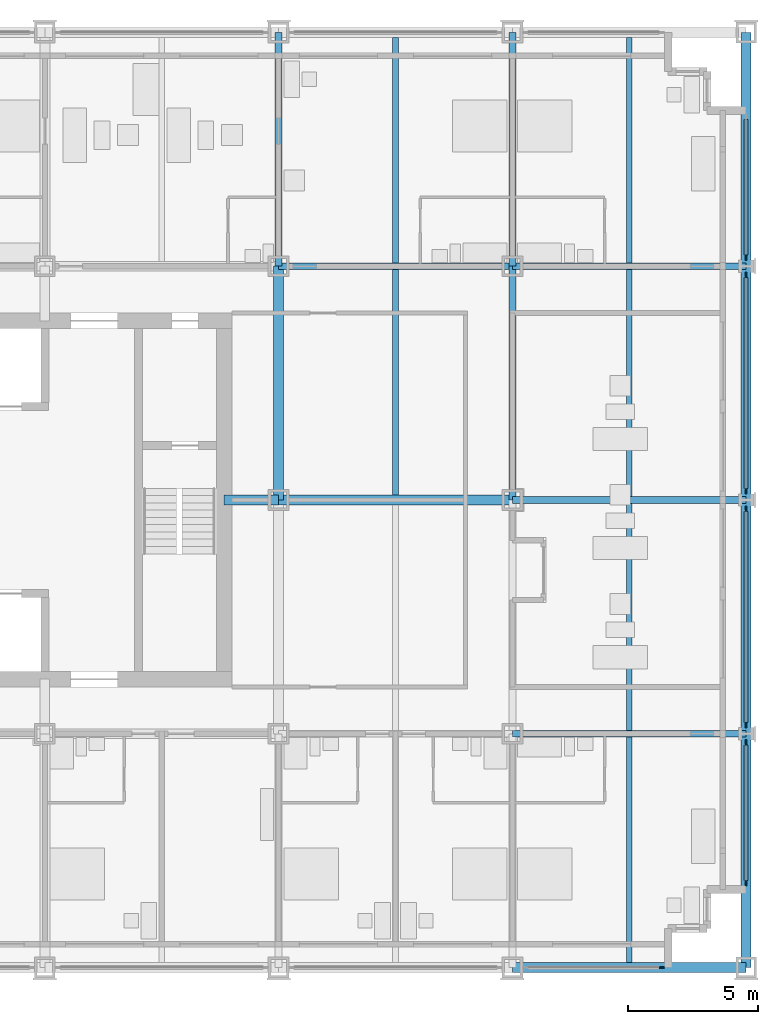
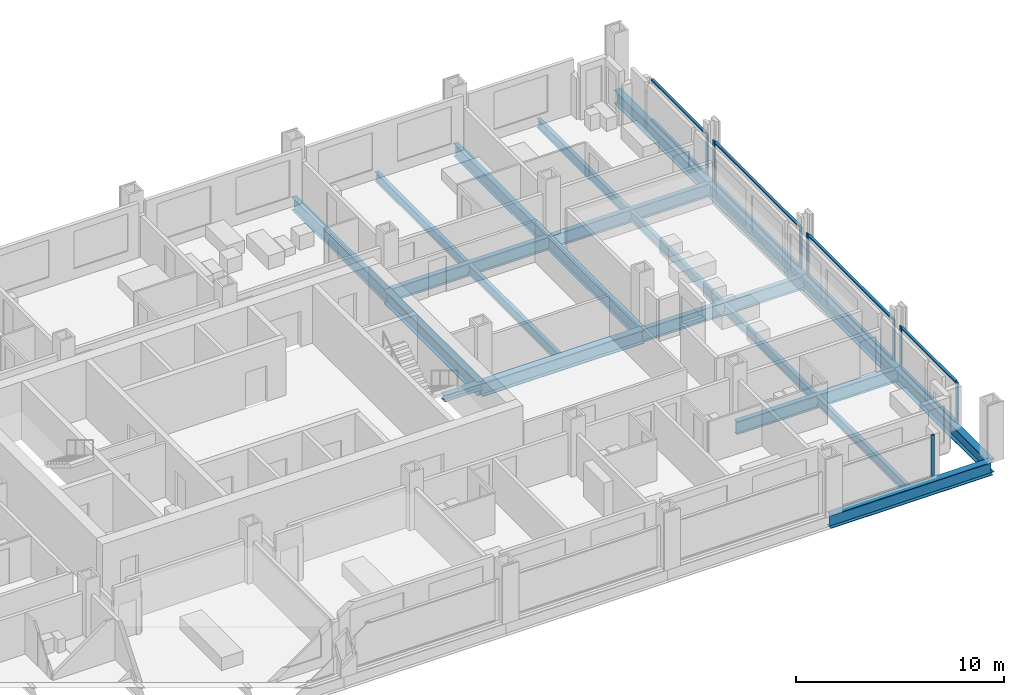
# One storey, part 6 of 18: 20 beams, 17 members, 5 elements without a shape of their own.
"""IFC4 building model written with IfcOpenShell, lengths in metres."""

from ifc_helpers import new_model, si_unit, direction, frame, origin, origin_2d, place, context, subcontext, project, spatial, rectangle, i_section, extrude, material, material_profile, profile_set, type_object, element, aggregate, save


model = new_model("IFC4")

# Units and contexts
model_context = context("Model", 3, precision=1e-05, world=origin(), true_north=direction((0.0, 1.0)))
body_context = subcontext(model_context, "Body", "Model", "MODEL_VIEW")
ifc_project = project(units=[si_unit("LENGTHUNIT", "METRE"), si_unit("AREAUNIT", "SQUARE_METRE"), si_unit("VOLUMEUNIT", "CUBIC_METRE"), si_unit("PLANEANGLEUNIT", "RADIAN"), si_unit("MASSUNIT", "GRAM", prefix="KILO")], contexts=[model_context])

# Site, building, storey
site_placement = place(None, origin())
site = spatial("IfcSite", under=ifc_project, at=site_placement, CompositionType="ELEMENT")
building_placement = place(site_placement, origin())
building = spatial("IfcBuilding", under=site, at=building_placement, Name="Loomwork Tower", CompositionType="ELEMENT")
storey_placement = place(building_placement, frame((0.0, 0.0, 28.0)))
storey = spatial("IfcBuildingStorey", under=building, at=storey_placement, Name="L05", CompositionType="ELEMENT", Elevation=28.0)

# Beams
ifc_material_1 = material(Name="Steel ASTM A992", Category="steel")
ifc_material_profile_1 = material_profile(ifc_material_1, i_section(OverallWidth=0.383544921875, OverallDepth=0.794921875, WebThickness=0.02099609375, FlangeThickness=0.0380859375, at=origin_2d()), Name="W30x235")
ifc_profile_set_1 = profile_set([ifc_material_profile_1], Name="Steel ASTM A992")
beam_type_1 = type_object("IfcBeamType", Name="CORE FLANK GIRDER W30x235", PredefinedType="BEAM", material=ifc_profile_set_1)
for number, where, z_axis, x_axis, name in (
    (1, (36.0, 18.0, -0.597412109375), (1.0, 0.0, 0.0), (0.0, 1.0, 0.0), "Core Flank Girder F/6-F/7 L05"),
    (2, (36.0, 18.0, -0.597412109375), (0.0, 1.0, 0.0), (-1.0, 0.0, 0.0), "Core Flank Girder F/6-G/6 L05"),
):
    element("IfcBeam", number, at=place(storey_placement, frame(where, z_axis=z_axis, x_axis=x_axis)), inside=storey, type_object=beam_type_1, Name=name, PredefinedType="BEAM", context=body_context, shape_type="SweptSolid", body=[
        extrude(i_section(OverallWidth=0.383544921875, OverallDepth=0.794921875, WebThickness=0.02099609375, FlangeThickness=0.0380859375, at=origin_2d()), origin(), (0.0, 0.0, 1.0), 9.0),
    ])

# Member
ifc_material_2 = material(Name="Steel ASTM A992", Category="steel")
ifc_material_profile_2 = material_profile(ifc_material_2, i_section(OverallWidth=0.373291015625, OverallDepth=0.373291015625, WebThickness=0.016357421875, FlangeThickness=0.026123046875, at=origin_2d()), Name="W14x132")
ifc_profile_set_2 = profile_set([ifc_material_profile_2], Name="Steel ASTM A992")
member_type_1 = type_object("IfcMemberType", Name="CORE LINK STRUT W14x132", PredefinedType="STRUT", material=ifc_profile_set_2)
member_1_placement = place(storey_placement, frame((36.0, 18.0, -0.38671875), z_axis=(-1.0, 0.0, 0.0), x_axis=(0.0, -1.0, 0.0)))
element("IfcMember", 3, at=member_1_placement, inside=storey, type_object=member_type_1, Name="Core link strut F/6-33.900,18.000 L05", PredefinedType="STRUT", context=body_context, shape_type="SweptSolid", body=[
    extrude(i_section(OverallWidth=0.373291015625, OverallDepth=0.373291015625, WebThickness=0.016357421875, FlangeThickness=0.026123046875, at=origin_2d()), origin(), (0.0, 0.0, 1.0), 2.10009765625),
])

# Beams
ifc_material_3 = material(Name="Steel ASTM A992", Category="steel")
ifc_material_profile_3 = material_profile(ifc_material_3, i_section(OverallWidth=0.2666015625, OverallDepth=0.761962890625, WebThickness=0.014404296875, FlangeThickness=0.021484375, at=origin_2d()), Name="W30x116")
ifc_profile_set_3 = profile_set([ifc_material_profile_3], Name="Steel ASTM A992")
beam_type_2 = type_object("IfcBeamType", Name="FLOOR GIRDER W30x116", PredefinedType="BEAM", material=ifc_profile_set_3)
for number, where, z_axis, x_axis, name in (
    (4, (45.0, 9.0, -0.5810546875), (1.0, 0.0, 0.0), (0.0, 1.0, 0.0), "Floor Girder E/7-E/8 L05"),
    (5, (45.0, 18.0, -0.5810546875), (1.0, 0.0, 0.0), (0.0, 1.0, 0.0), "Floor Girder F/7-F/8 L05"),
    (6, (36.0, 27.0, -0.5810546875), (1.0, 0.0, 0.0), (0.0, 1.0, 0.0), "Floor Girder G/6-G/7 L05"),
    (7, (45.0, 27.0, -0.5810546875), (1.0, 0.0, 0.0), (0.0, 1.0, 0.0), "Floor Girder G/7-G/8 L05"),
    (8, (36.0, 27.0, -0.5810546875), (0.0, 1.0, 0.0), (-1.0, 0.0, 0.0), "Floor Girder G/6-H/6 L05"),
    (9, (45.0, 18.0, -0.5810546875), (0.0, 1.0, 0.0), (-1.0, 0.0, 0.0), "Floor Girder F/7-G/7 L05"),
    (10, (45.0, 27.0, -0.5810546875), (0.0, 1.0, 0.0), (-1.0, 0.0, 0.0), "Floor Girder G/7-H/7 L05"),
):
    element("IfcBeam", number, at=place(storey_placement, frame(where, z_axis=z_axis, x_axis=x_axis)), inside=storey, type_object=beam_type_2, Name=name, PredefinedType="BEAM", context=body_context, shape_type="SweptSolid", body=[
        extrude(i_section(OverallWidth=0.2666015625, OverallDepth=0.761962890625, WebThickness=0.014404296875, FlangeThickness=0.021484375, at=origin_2d()), origin(), (0.0, 0.0, 1.0), 9.0),
    ])
ifc_material_4 = material(Name="Steel ASTM A992", Category="steel")
ifc_material_profile_4 = material_profile(ifc_material_4, i_section(OverallWidth=0.21240234375, OverallDepth=0.54345703125, WebThickness=0.01318359375, FlangeThickness=0.021240234375, at=origin_2d()), Name="W21x83")
ifc_profile_set_4 = profile_set([ifc_material_profile_4], Name="Steel ASTM A992")
beam_type_3 = type_object("IfcBeamType", Name="FLOOR JOIST W21x83", PredefinedType="JOIST", material=ifc_profile_set_4)
beam_1_placement = place(storey_placement, frame((40.5, 18.19091796875, -0.4716796875), z_axis=(0.0, 1.0, 0.0), x_axis=(-1.0, 0.0, 0.0)))
element("IfcBeam", 11, at=beam_1_placement, inside=storey, type_object=beam_type_3, Name="Floor Joist 40.500,18.000-40.500,27.000 L05", PredefinedType="JOIST", context=body_context, shape_type="SweptSolid", body=[
    extrude(i_section(OverallWidth=0.21240234375, OverallDepth=0.54345703125, WebThickness=0.01318359375, FlangeThickness=0.021240234375, at=origin_2d()), origin(), (0.0, 0.0, 1.0), 8.676025390625),
])
for number, where, z_axis, x_axis, name in (
    (12, (40.5, 27.133056640625, -0.4716796875), (0.0, 1.0, 0.0), (-1.0, 0.0, 0.0), "Floor Joist 40.500,27.000-40.500,36.000 L05"),
    (13, (49.5, 0.18994140625, -0.4716796875), (0.0, 1.0, 0.0), (-1.0, 0.0, 0.0), "Floor Joist 49.500,0.000-49.500,9.000 L05"),
):
    element("IfcBeam", number, at=place(storey_placement, frame(where, z_axis=z_axis, x_axis=x_axis)), inside=storey, type_object=beam_type_3, Name=name, PredefinedType="JOIST", context=body_context, shape_type="SweptSolid", body=[
        extrude(i_section(OverallWidth=0.21240234375, OverallDepth=0.54345703125, WebThickness=0.01318359375, FlangeThickness=0.021240234375, at=origin_2d()), origin(), (0.0, 0.0, 1.0), 8.677001953125),
    ])
for number, where, z_axis, x_axis, name in (
    (14, (49.5, 9.133056640625, -0.4716796875), (0.0, 1.0, 0.0), (-1.0, 0.0, 0.0), "Floor Joist 49.500,9.000-49.500,18.000 L05"),
    (15, (49.5, 18.133056640625, -0.4716796875), (0.0, 1.0, 0.0), (-1.0, 0.0, 0.0), "Floor Joist 49.500,18.000-49.500,27.000 L05"),
):
    element("IfcBeam", number, at=place(storey_placement, frame(where, z_axis=z_axis, x_axis=x_axis)), inside=storey, type_object=beam_type_3, Name=name, PredefinedType="JOIST", context=body_context, shape_type="SweptSolid", body=[
        extrude(i_section(OverallWidth=0.21240234375, OverallDepth=0.54345703125, WebThickness=0.01318359375, FlangeThickness=0.021240234375, at=origin_2d()), origin(), (0.0, 0.0, 1.0), 8.73388671875),
    ])
beam_2_placement = place(storey_placement, frame((49.5, 27.133056640625, -0.4716796875), z_axis=(0.0, 1.0, 0.0), x_axis=(-1.0, 0.0, 0.0)))
element("IfcBeam", 16, at=beam_2_placement, inside=storey, type_object=beam_type_3, Name="Floor Joist 49.500,27.000-49.500,36.000 L05", PredefinedType="JOIST", context=body_context, shape_type="SweptSolid", body=[
    extrude(i_section(OverallWidth=0.21240234375, OverallDepth=0.54345703125, WebThickness=0.01318359375, FlangeThickness=0.021240234375, at=origin_2d()), origin(), (0.0, 0.0, 1.0), 8.677001953125),
])

# Curtain wall, member
ifc_material_5 = material(Name="Aluminium curtain wall frame", Category="aluminium")
curtain_wall_type = type_object("IfcCurtainWallType", Name="Outer skin glazing hotel", PredefinedType="NOTDEFINED", material=ifc_material_5)
curtain_wall_1_placement = place(storey_placement, origin())
curtain_wall_1 = element("IfcCurtainWall", 17, at=curtain_wall_1_placement, inside=storey, type_object=curtain_wall_type, Name="Outer skin glazing hotel cw/S-45", PredefinedType="NOTDEFINED")
ifc_material_6 = material(Name="Aluminium curtain wall frame", Category="aluminium")
ifc_material_profile_5 = material_profile(ifc_material_6, rectangle(XDim=0.06494140625, YDim=0.199951171875, at=origin_2d()), Name="AL 65x200")
ifc_profile_set_5 = profile_set([ifc_material_profile_5], Name="Aluminium curtain wall frame")
member_type_2 = type_object("IfcMemberType", Name="Outer skin glazing hotel mullion", PredefinedType="MULLION", material=ifc_profile_set_5)
member_2_placement = place(storey_placement, frame((50.75, 0.0, 0.0), z_axis=(0.0, 0.0, 1.0), x_axis=(0.0, 1.0, 0.0)))
member_2 = element("IfcMember", 18, at=member_2_placement, type_object=member_type_2, Name="CW1 mullion 2", PredefinedType="MULLION", context=body_context, shape_type="SweptSolid", body=[
    extrude(rectangle(XDim=0.06494140625, YDim=0.199951171875, at=origin_2d()), origin(), (0.0, 0.0, 1.0), 2.420166015625),
])
aggregate(curtain_wall_1, [member_2])

# Curtain wall, members
curtain_wall_2_placement = place(storey_placement, origin())
curtain_wall_2 = element("IfcCurtainWall", 19, at=curtain_wall_2_placement, inside=storey, type_object=curtain_wall_type, Name="Outer skin glazing hotel cw/E-0", PredefinedType="NOTDEFINED")
member_3_placement = place(storey_placement, frame((54.0, 3.25, 0.0), z_axis=(0.0, 0.0, 1.0), x_axis=(-1.0, 0.0, 0.0)))
member_3 = element("IfcMember", 20, at=member_3_placement, type_object=member_type_2, Name="CW1 mullion 1", PredefinedType="MULLION", context=body_context, shape_type="SweptSolid", body=[
    extrude(rectangle(XDim=0.06494140625, YDim=0.199951171875, at=origin_2d()), origin(), (0.0, 0.0, 1.0), 2.420166015625),
])
member_4_placement = place(storey_placement, frame((54.0, 8.6611328125, 0.0), z_axis=(0.0, 0.0, 1.0), x_axis=(-1.0, 0.0, 0.0)))
member_4 = element("IfcMember", 21, at=member_4_placement, type_object=member_type_2, Name="CW1 mullion 2", PredefinedType="MULLION", context=body_context, shape_type="SweptSolid", body=[
    extrude(rectangle(XDim=0.06494140625, YDim=0.199951171875, at=origin_2d()), origin(), (0.0, 0.0, 1.0), 2.420166015625),
])

curtain_wall_3_placement = place(storey_placement, origin())
curtain_wall_3 = element("IfcCurtainWall", 22, at=curtain_wall_3_placement, inside=storey, type_object=curtain_wall_type, Name="Outer skin glazing hotel cw/E-9", PredefinedType="NOTDEFINED")
member_5_placement = place(storey_placement, frame((54.0, 9.3388671875, 0.0), z_axis=(0.0, 0.0, 1.0), x_axis=(-1.0, 0.0, 0.0)))
member_5 = element("IfcMember", 23, at=member_5_placement, type_object=member_type_2, Name="CW1 mullion 1", PredefinedType="MULLION", context=body_context, shape_type="SweptSolid", body=[
    extrude(rectangle(XDim=0.06494140625, YDim=0.199951171875, at=origin_2d()), origin(), (0.0, 0.0, 1.0), 2.420166015625),
])
member_6_placement = place(storey_placement, frame((54.0, 17.6611328125, 0.0), z_axis=(0.0, 0.0, 1.0), x_axis=(-1.0, 0.0, 0.0)))
member_6 = element("IfcMember", 24, at=member_6_placement, type_object=member_type_2, Name="CW1 mullion 2", PredefinedType="MULLION", context=body_context, shape_type="SweptSolid", body=[
    extrude(rectangle(XDim=0.06494140625, YDim=0.199951171875, at=origin_2d()), origin(), (0.0, 0.0, 1.0), 2.420166015625),
])

curtain_wall_4_placement = place(storey_placement, origin())
curtain_wall_4 = element("IfcCurtainWall", 25, at=curtain_wall_4_placement, inside=storey, type_object=curtain_wall_type, Name="Outer skin glazing hotel cw/E-18", PredefinedType="NOTDEFINED")
member_7_placement = place(storey_placement, frame((54.0, 18.3388671875, 0.0), z_axis=(0.0, 0.0, 1.0), x_axis=(-1.0, 0.0, 0.0)))
member_7 = element("IfcMember", 26, at=member_7_placement, type_object=member_type_2, Name="CW1 mullion 1", PredefinedType="MULLION", context=body_context, shape_type="SweptSolid", body=[
    extrude(rectangle(XDim=0.06494140625, YDim=0.199951171875, at=origin_2d()), origin(), (0.0, 0.0, 1.0), 2.420166015625),
])
member_8_placement = place(storey_placement, frame((54.0, 26.6611328125, 0.0), z_axis=(0.0, 0.0, 1.0), x_axis=(-1.0, 0.0, 0.0)))
member_8 = element("IfcMember", 27, at=member_8_placement, type_object=member_type_2, Name="CW1 mullion 2", PredefinedType="MULLION", context=body_context, shape_type="SweptSolid", body=[
    extrude(rectangle(XDim=0.06494140625, YDim=0.199951171875, at=origin_2d()), origin(), (0.0, 0.0, 1.0), 2.420166015625),
])

# Curtain wall, member
curtain_wall_5_placement = place(storey_placement, origin())
curtain_wall_5 = element("IfcCurtainWall", 28, at=curtain_wall_5_placement, inside=storey, type_object=curtain_wall_type, Name="Outer skin glazing hotel cw/E-27", PredefinedType="NOTDEFINED")
member_9_placement = place(storey_placement, frame((54.0, 27.3388671875, 0.0), z_axis=(0.0, 0.0, 1.0), x_axis=(-1.0, 0.0, 0.0)))
member_9 = element("IfcMember", 29, at=member_9_placement, type_object=member_type_2, Name="CW1 mullion 1", PredefinedType="MULLION", context=body_context, shape_type="SweptSolid", body=[
    extrude(rectangle(XDim=0.06494140625, YDim=0.199951171875, at=origin_2d()), origin(), (0.0, 0.0, 1.0), 2.420166015625),
])

# Member
ifc_material_7 = material(Name="Aluminium curtain wall frame", Category="aluminium")
ifc_material_profile_6 = material_profile(ifc_material_7, rectangle(XDim=0.14990234375, YDim=0.06494140625, at=origin_2d()), Name="AL 65x150")
ifc_profile_set_6 = profile_set([ifc_material_profile_6], Name="Aluminium curtain wall frame")
member_type_3 = type_object("IfcMemberType", Name="Outer skin glazing hotel transom", PredefinedType="USERDEFINED", material=ifc_profile_set_6)
member_10_placement = place(storey_placement, frame((54.0, 3.35009765625, 0.032470703125), z_axis=(0.0, 1.0, 0.0), x_axis=(-1.0, 0.0, 0.0)))
member_10 = element("IfcMember", 30, at=member_10_placement, type_object=member_type_3, Name="CW1 transom 1.1", ObjectType="TRANSOM", PredefinedType="USERDEFINED", context=body_context, shape_type="SweptSolid", body=[
    extrude(rectangle(XDim=0.14990234375, YDim=0.06494140625, at=origin_2d()), origin(), (0.0, 0.0, 1.0), 5.211181640625),
])

member_11_placement = place(storey_placement, frame((54.0, 3.35009765625, 2.3876953125), z_axis=(0.0, 1.0, 0.0), x_axis=(-1.0, 0.0, 0.0)))
member_11 = element("IfcMember", 31, at=member_11_placement, type_object=member_type_3, Name="CW1 transom 1.2", ObjectType="TRANSOM", PredefinedType="USERDEFINED", context=body_context, shape_type="SweptSolid", body=[
    extrude(rectangle(XDim=0.14990234375, YDim=0.06494140625, at=origin_2d()), origin(), (0.0, 0.0, 1.0), 5.211181640625),
])

aggregate(curtain_wall_2, [member_3, member_4, member_10, member_11])

member_12_placement = place(storey_placement, frame((54.0, 9.438720703125, 0.032470703125), z_axis=(0.0, 1.0, 0.0), x_axis=(-1.0, 0.0, 0.0)))
member_12 = element("IfcMember", 32, at=member_12_placement, type_object=member_type_3, Name="CW1 transom 1.1", ObjectType="TRANSOM", PredefinedType="USERDEFINED", context=body_context, shape_type="SweptSolid", body=[
    extrude(rectangle(XDim=0.14990234375, YDim=0.06494140625, at=origin_2d()), origin(), (0.0, 0.0, 1.0), 8.12255859375),
])

member_13_placement = place(storey_placement, frame((54.0, 9.438720703125, 2.3876953125), z_axis=(0.0, 1.0, 0.0), x_axis=(-1.0, 0.0, 0.0)))
member_13 = element("IfcMember", 33, at=member_13_placement, type_object=member_type_3, Name="CW1 transom 1.2", ObjectType="TRANSOM", PredefinedType="USERDEFINED", context=body_context, shape_type="SweptSolid", body=[
    extrude(rectangle(XDim=0.14990234375, YDim=0.06494140625, at=origin_2d()), origin(), (0.0, 0.0, 1.0), 8.12255859375),
])

aggregate(curtain_wall_3, [member_5, member_6, member_12, member_13])

member_14_placement = place(storey_placement, frame((54.0, 18.438720703125, 0.032470703125), z_axis=(0.0, 1.0, 0.0), x_axis=(-1.0, 0.0, 0.0)))
member_14 = element("IfcMember", 34, at=member_14_placement, type_object=member_type_3, Name="CW1 transom 1.1", ObjectType="TRANSOM", PredefinedType="USERDEFINED", context=body_context, shape_type="SweptSolid", body=[
    extrude(rectangle(XDim=0.14990234375, YDim=0.06494140625, at=origin_2d()), origin(), (0.0, 0.0, 1.0), 8.12255859375),
])

member_15_placement = place(storey_placement, frame((54.0, 18.438720703125, 2.3876953125), z_axis=(0.0, 1.0, 0.0), x_axis=(-1.0, 0.0, 0.0)))
member_15 = element("IfcMember", 35, at=member_15_placement, type_object=member_type_3, Name="CW1 transom 1.2", ObjectType="TRANSOM", PredefinedType="USERDEFINED", context=body_context, shape_type="SweptSolid", body=[
    extrude(rectangle(XDim=0.14990234375, YDim=0.06494140625, at=origin_2d()), origin(), (0.0, 0.0, 1.0), 8.12255859375),
])

aggregate(curtain_wall_4, [member_7, member_8, member_14, member_15])

member_16_placement = place(storey_placement, frame((54.0, 27.438720703125, 0.032470703125), z_axis=(0.0, 1.0, 0.0), x_axis=(-1.0, 0.0, 0.0)))
member_16 = element("IfcMember", 36, at=member_16_placement, type_object=member_type_3, Name="CW1 transom 1.1", ObjectType="TRANSOM", PredefinedType="USERDEFINED", context=body_context, shape_type="SweptSolid", body=[
    extrude(rectangle(XDim=0.14990234375, YDim=0.06494140625, at=origin_2d()), origin(), (0.0, 0.0, 1.0), 5.211181640625),
])

member_17_placement = place(storey_placement, frame((54.0, 27.438720703125, 2.3876953125), z_axis=(0.0, 1.0, 0.0), x_axis=(-1.0, 0.0, 0.0)))
member_17 = element("IfcMember", 37, at=member_17_placement, type_object=member_type_3, Name="CW1 transom 1.2", ObjectType="TRANSOM", PredefinedType="USERDEFINED", context=body_context, shape_type="SweptSolid", body=[
    extrude(rectangle(XDim=0.14990234375, YDim=0.06494140625, at=origin_2d()), origin(), (0.0, 0.0, 1.0), 5.211181640625),
])

aggregate(curtain_wall_5, [member_9, member_16, member_17])

# Beams
ifc_material_8 = material(Name="Steel ASTM A992", Category="steel")
ifc_material_profile_7 = material_profile(ifc_material_8, i_section(OverallWidth=0.381103515625, OverallDepth=0.77978515625, WebThickness=0.01806640625, FlangeThickness=0.0302734375, at=origin_2d()), Name="W30x191")
ifc_profile_set_7 = profile_set([ifc_material_profile_7], Name="Steel ASTM A992")
beam_type_4 = type_object("IfcBeamType", Name="SPANDREL GIRDER W30x191", PredefinedType="SPANDREL", material=ifc_profile_set_7)
for number, where, z_axis, x_axis, name in (
    (38, (45.0, 0.0, -0.58984375), (1.0, 0.0, 0.0), (0.0, 1.0, 0.0), "Spandrel Girder D/7-D/8 L05"),
    (39, (54.0, 0.0, -0.58984375), (0.0, 1.0, 0.0), (-1.0, 0.0, 0.0), "Spandrel Girder D/8-E/8 L05"),
    (40, (54.0, 9.0, -0.58984375), (0.0, 1.0, 0.0), (-1.0, 0.0, 0.0), "Spandrel Girder E/8-F/8 L05"),
    (41, (54.0, 18.0, -0.58984375), (0.0, 1.0, 0.0), (-1.0, 0.0, 0.0), "Spandrel Girder F/8-G/8 L05"),
    (42, (54.0, 27.0, -0.58984375), (0.0, 1.0, 0.0), (-1.0, 0.0, 0.0), "Spandrel Girder G/8-H/8 L05"),
):
    element("IfcBeam", number, at=place(storey_placement, frame(where, z_axis=z_axis, x_axis=x_axis)), inside=storey, type_object=beam_type_4, Name=name, PredefinedType="SPANDREL", context=body_context, shape_type="SweptSolid", body=[
        extrude(i_section(OverallWidth=0.381103515625, OverallDepth=0.77978515625, WebThickness=0.01806640625, FlangeThickness=0.0302734375, at=origin_2d()), origin(), (0.0, 0.0, 1.0), 9.0),
    ])

save(model, "model.ifc")
